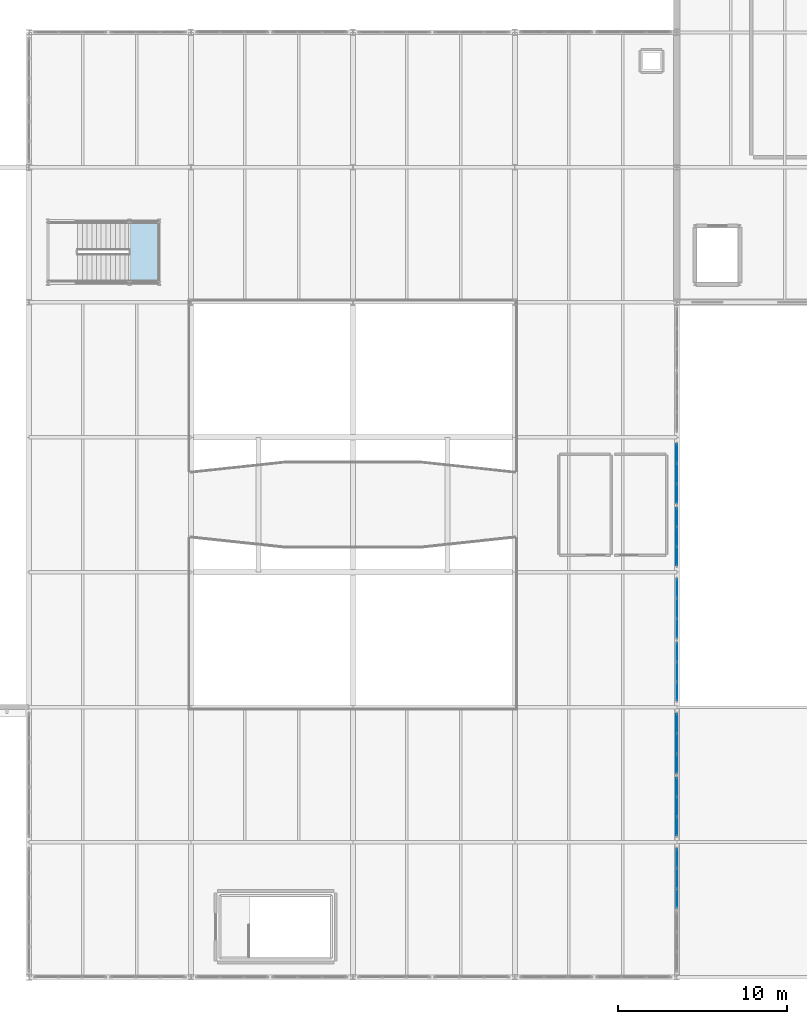
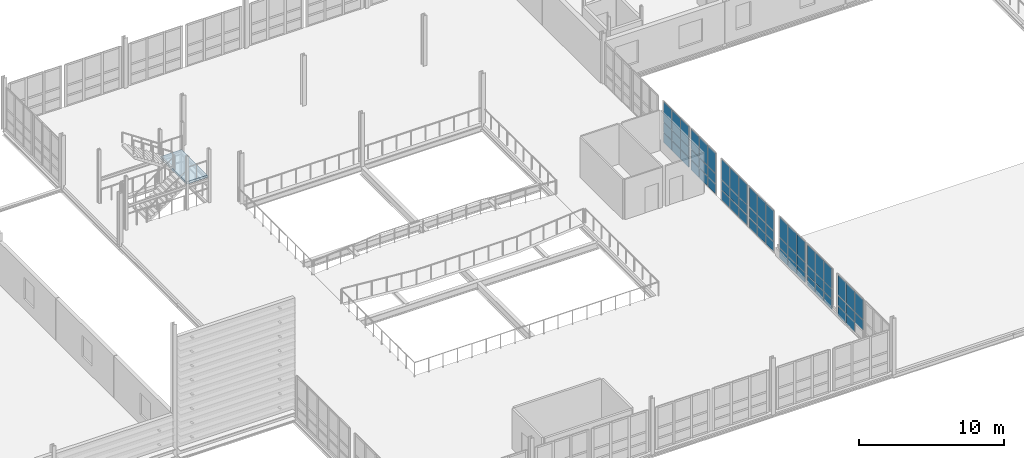
# One storey, part 49 of 73: 62 plates, 1 slab, 8 elements without a shape of their own.
"""IFC4 building model written with IfcOpenShell, lengths in metres."""

from ifc_helpers import new_model, si_unit, direction, frame, origin, origin_2d, place, context, subcontext, project, spatial, polyline, rectangle, outline, extrude, material, layer, layer_set, type_object, element, aggregate, save


model = new_model("IFC4")

# Units and contexts
model_context = context("Model", 3, precision=1e-05, world=origin(), true_north=direction((0.0, 1.0)))
body_context = subcontext(model_context, "Body", "Model", "MODEL_VIEW")
ifc_project = project(units=[si_unit("LENGTHUNIT", "METRE"), si_unit("AREAUNIT", "SQUARE_METRE"), si_unit("VOLUMEUNIT", "CUBIC_METRE"), si_unit("PLANEANGLEUNIT", "RADIAN"), si_unit("MASSUNIT", "GRAM", prefix="KILO")], contexts=[model_context])

# Site, building, storey
site_placement = place(None, origin())
site = spatial("IfcSite", under=ifc_project, at=site_placement, CompositionType="ELEMENT")
building_placement = place(site_placement, origin())
building = spatial("IfcBuilding", under=site, at=building_placement, Name="Alderhovde Museum", CompositionType="ELEMENT")
storey_placement = place(building_placement, frame((0.0, 0.0, 12.89990234375)))
storey = spatial("IfcBuildingStorey", under=building, at=storey_placement, Name="L03", CompositionType="ELEMENT", Elevation=12.89990234375)

# Curtain wall, plates
ifc_material_1 = material(Name="Triple-Glazed Bronze-Anodised Curtain Wall", Category="glass")
ifc_layer_1 = layer(ifc_material_1, 0.179931640625)
ifc_layer_set_1 = layer_set([ifc_layer_1], Name="Triple-Glazed Bronze-Anodised Curtain Wall")
curtain_wall_type_1 = type_object("IfcCurtainWallType", Name="CW-UNIT-350x354", PredefinedType="USERDEFINED", material=ifc_layer_set_1)
curtain_wall_1_placement = place(storey_placement, origin())
curtain_wall_1 = element("IfcCurtainWall", 1, at=curtain_wall_1_placement, inside=storey, type_object=curtain_wall_type_1, Name="L03 Unitised Curtain Wall 72", ObjectType="UNITISED CURTAIN WALL", PredefinedType="USERDEFINED")
ifc_material_2 = material(Name="Triple-Glazed Low-E Laminated Glass", Category="glass")
ifc_layer_2 = layer(ifc_material_2, 0.028076171875)
ifc_layer_set_2 = layer_set([ifc_layer_2], Name="Triple-Glazed Low-E Laminated Glass")
plate_type_1 = type_object("IfcPlateType", Name="CWP-GLAZ-28", PredefinedType="CURTAIN_PANEL", material=ifc_layer_set_2)
plate_1_placement = place(storey_placement, frame((115.199951171875, 48.949462890625, 0.06494140625), z_axis=(0.0, 0.0, 1.0), x_axis=(0.0, 1.0, 0.0)))
plate_1 = element("IfcPlate", 2, at=plate_1_placement, type_object=plate_type_1, Name="CW19 panel 1.1", PredefinedType="CURTAIN_PANEL", context=body_context, shape_type="SweptSolid", body=[
    extrude(rectangle(XDim=1.069091796875, YDim=0.028076171875, at=origin_2d()), origin(), (0.0, 0.0, 1.0), 0.802490234375),
])
plate_2_placement = place(storey_placement, frame((115.199951171875, 48.949462890625, 0.9326171875), z_axis=(0.0, 0.0, 1.0), x_axis=(0.0, 1.0, 0.0)))
plate_2 = element("IfcPlate", 3, at=plate_2_placement, type_object=plate_type_1, Name="CW19 panel 1.2", PredefinedType="CURTAIN_PANEL", context=body_context, shape_type="SweptSolid", body=[
    extrude(rectangle(XDim=1.069091796875, YDim=0.028076171875, at=origin_2d()), origin(), (0.0, 0.0, 1.0), 0.804931640625),
])
plate_3_placement = place(storey_placement, frame((115.199951171875, 48.949462890625, 1.802734375), z_axis=(0.0, 0.0, 1.0), x_axis=(0.0, 1.0, 0.0)))
plate_3 = element("IfcPlate", 4, at=plate_3_placement, type_object=plate_type_1, Name="CW19 panel 1.3", PredefinedType="CURTAIN_PANEL", context=body_context, shape_type="SweptSolid", body=[
    extrude(rectangle(XDim=1.069091796875, YDim=0.028076171875, at=origin_2d()), origin(), (0.0, 0.0, 1.0), 1.672607421875),
])
plate_4_placement = place(storey_placement, frame((115.199951171875, 50.10009765625, 0.06494140625), z_axis=(0.0, 0.0, 1.0), x_axis=(0.0, 1.0, 0.0)))
plate_4 = element("IfcPlate", 5, at=plate_4_placement, type_object=plate_type_1, Name="CW19 panel 2.1", PredefinedType="CURTAIN_PANEL", context=body_context, shape_type="SweptSolid", body=[
    extrude(rectangle(XDim=1.1015625, YDim=0.028076171875, at=origin_2d()), origin(), (0.0, 0.0, 1.0), 0.802490234375),
])
plate_5_placement = place(storey_placement, frame((115.199951171875, 50.10009765625, 0.9326171875), z_axis=(0.0, 0.0, 1.0), x_axis=(0.0, 1.0, 0.0)))
plate_5 = element("IfcPlate", 6, at=plate_5_placement, type_object=plate_type_1, Name="CW19 panel 2.2", PredefinedType="CURTAIN_PANEL", context=body_context, shape_type="SweptSolid", body=[
    extrude(rectangle(XDim=1.1015625, YDim=0.028076171875, at=origin_2d()), origin(), (0.0, 0.0, 1.0), 0.804931640625),
])
plate_6_placement = place(storey_placement, frame((115.199951171875, 50.10009765625, 1.802734375), z_axis=(0.0, 0.0, 1.0), x_axis=(0.0, 1.0, 0.0)))
plate_6 = element("IfcPlate", 7, at=plate_6_placement, type_object=plate_type_1, Name="CW19 panel 2.3", PredefinedType="CURTAIN_PANEL", context=body_context, shape_type="SweptSolid", body=[
    extrude(rectangle(XDim=1.1015625, YDim=0.028076171875, at=origin_2d()), origin(), (0.0, 0.0, 1.0), 1.672607421875),
])
plate_7_placement = place(storey_placement, frame((115.199951171875, 51.25048828125, 0.06494140625), z_axis=(0.0, 0.0, 1.0), x_axis=(0.0, 1.0, 0.0)))
plate_7 = element("IfcPlate", 8, at=plate_7_placement, type_object=plate_type_1, Name="CW19 panel 3.1", PredefinedType="CURTAIN_PANEL", context=body_context, shape_type="SweptSolid", body=[
    extrude(rectangle(XDim=1.069091796875, YDim=0.028076171875, at=origin_2d()), origin(), (0.0, 0.0, 1.0), 0.802490234375),
])
plate_8_placement = place(storey_placement, frame((115.199951171875, 51.25048828125, 0.9326171875), z_axis=(0.0, 0.0, 1.0), x_axis=(0.0, 1.0, 0.0)))
plate_8 = element("IfcPlate", 9, at=plate_8_placement, type_object=plate_type_1, Name="CW19 panel 3.2", PredefinedType="CURTAIN_PANEL", context=body_context, shape_type="SweptSolid", body=[
    extrude(rectangle(XDim=1.069091796875, YDim=0.028076171875, at=origin_2d()), origin(), (0.0, 0.0, 1.0), 0.804931640625),
])
plate_9_placement = place(storey_placement, frame((115.199951171875, 51.25048828125, 1.802734375), z_axis=(0.0, 0.0, 1.0), x_axis=(0.0, 1.0, 0.0)))
plate_9 = element("IfcPlate", 10, at=plate_9_placement, type_object=plate_type_1, Name="CW19 panel 3.3", PredefinedType="CURTAIN_PANEL", context=body_context, shape_type="SweptSolid", body=[
    extrude(rectangle(XDim=1.069091796875, YDim=0.028076171875, at=origin_2d()), origin(), (0.0, 0.0, 1.0), 1.672607421875),
])
aggregate(curtain_wall_1, [plate_1, plate_2, plate_3, plate_4, plate_5, plate_6, plate_7, plate_8, plate_9])

ifc_material_3 = material(Name="Triple-Glazed Bronze-Anodised Curtain Wall", Category="glass")
ifc_layer_3 = layer(ifc_material_3, 0.179931640625)
ifc_layer_set_3 = layer_set([ifc_layer_3], Name="Triple-Glazed Bronze-Anodised Curtain Wall")
curtain_wall_type_2 = type_object("IfcCurtainWallType", Name="CW-UNIT-360x354", PredefinedType="USERDEFINED", material=ifc_layer_set_3)
curtain_wall_2_placement = place(storey_placement, origin())
curtain_wall_2 = element("IfcCurtainWall", 11, at=curtain_wall_2_placement, inside=storey, type_object=curtain_wall_type_2, Name="L03 Unitised Curtain Wall 69", ObjectType="UNITISED CURTAIN WALL", PredefinedType="USERDEFINED")
ifc_material_4 = material(Name="Triple-Glazed Low-E Laminated Glass", Category="glass")
ifc_layer_4 = layer(ifc_material_4, 0.035888671875)
ifc_layer_set_4 = layer_set([ifc_layer_4], Name="Triple-Glazed Low-E Laminated Glass")
plate_type_2 = type_object("IfcPlateType", Name="CWP-GLAZ-36", PredefinedType="CURTAIN_PANEL", material=ifc_layer_set_4)
plate_10_placement = place(storey_placement, frame((115.199951171875, 36.666259765625, 0.9326171875), z_axis=(0.0, 0.0, 1.0), x_axis=(0.0, 1.0, 0.0)))
plate_10 = element("IfcPlate", 12, at=plate_10_placement, type_object=plate_type_2, Name="CW20 panel 1.2", PredefinedType="CURTAIN_PANEL", context=body_context, shape_type="SweptSolid", body=[
    extrude(rectangle(XDim=1.1025390625, YDim=0.035888671875, at=origin_2d()), origin(), (0.0, 0.0, 1.0), 0.804931640625),
])
plate_11_placement = place(storey_placement, frame((115.199951171875, 36.666259765625, 1.802734375), z_axis=(0.0, 0.0, 1.0), x_axis=(0.0, 1.0, 0.0)))
plate_11 = element("IfcPlate", 13, at=plate_11_placement, type_object=plate_type_2, Name="CW20 panel 1.3", PredefinedType="CURTAIN_PANEL", context=body_context, shape_type="SweptSolid", body=[
    extrude(rectangle(XDim=1.1025390625, YDim=0.035888671875, at=origin_2d()), origin(), (0.0, 0.0, 1.0), 1.672607421875),
])
plate_12_placement = place(storey_placement, frame((115.199951171875, 37.85009765625, 0.06494140625), z_axis=(0.0, 0.0, 1.0), x_axis=(0.0, 1.0, 0.0)))
plate_12 = element("IfcPlate", 14, at=plate_12_placement, type_object=plate_type_2, Name="CW20 panel 2.1", PredefinedType="CURTAIN_PANEL", context=body_context, shape_type="SweptSolid", body=[
    extrude(rectangle(XDim=1.135009765625, YDim=0.035888671875, at=origin_2d()), origin(), (0.0, 0.0, 1.0), 0.802490234375),
])
plate_13_placement = place(storey_placement, frame((115.199951171875, 37.85009765625, 0.9326171875), z_axis=(0.0, 0.0, 1.0), x_axis=(0.0, 1.0, 0.0)))
plate_13 = element("IfcPlate", 15, at=plate_13_placement, type_object=plate_type_2, Name="CW20 panel 2.2", PredefinedType="CURTAIN_PANEL", context=body_context, shape_type="SweptSolid", body=[
    extrude(rectangle(XDim=1.135009765625, YDim=0.035888671875, at=origin_2d()), origin(), (0.0, 0.0, 1.0), 0.804931640625),
])
plate_14_placement = place(storey_placement, frame((115.199951171875, 37.85009765625, 1.802734375), z_axis=(0.0, 0.0, 1.0), x_axis=(0.0, 1.0, 0.0)))
plate_14 = element("IfcPlate", 16, at=plate_14_placement, type_object=plate_type_2, Name="CW20 panel 2.3", PredefinedType="CURTAIN_PANEL", context=body_context, shape_type="SweptSolid", body=[
    extrude(rectangle(XDim=1.135009765625, YDim=0.035888671875, at=origin_2d()), origin(), (0.0, 0.0, 1.0), 1.672607421875),
])
plate_15_placement = place(storey_placement, frame((115.199951171875, 39.03369140625, 0.06494140625), z_axis=(0.0, 0.0, 1.0), x_axis=(0.0, 1.0, 0.0)))
plate_15 = element("IfcPlate", 17, at=plate_15_placement, type_object=plate_type_2, Name="CW20 panel 3.1", PredefinedType="CURTAIN_PANEL", context=body_context, shape_type="SweptSolid", body=[
    extrude(rectangle(XDim=1.1025390625, YDim=0.035888671875, at=origin_2d()), origin(), (0.0, 0.0, 1.0), 0.802490234375),
])
plate_16_placement = place(storey_placement, frame((115.199951171875, 39.03369140625, 0.9326171875), z_axis=(0.0, 0.0, 1.0), x_axis=(0.0, 1.0, 0.0)))
plate_16 = element("IfcPlate", 18, at=plate_16_placement, type_object=plate_type_2, Name="CW20 panel 3.2", PredefinedType="CURTAIN_PANEL", context=body_context, shape_type="SweptSolid", body=[
    extrude(rectangle(XDim=1.1025390625, YDim=0.035888671875, at=origin_2d()), origin(), (0.0, 0.0, 1.0), 0.804931640625),
])
plate_17_placement = place(storey_placement, frame((115.199951171875, 39.03369140625, 1.802734375), z_axis=(0.0, 0.0, 1.0), x_axis=(0.0, 1.0, 0.0)))
plate_17 = element("IfcPlate", 19, at=plate_17_placement, type_object=plate_type_2, Name="CW20 panel 3.3", PredefinedType="CURTAIN_PANEL", context=body_context, shape_type="SweptSolid", body=[
    extrude(rectangle(XDim=1.1025390625, YDim=0.035888671875, at=origin_2d()), origin(), (0.0, 0.0, 1.0), 1.672607421875),
])
aggregate(curtain_wall_2, [plate_10, plate_11, plate_12, plate_13, plate_14, plate_15, plate_16, plate_17])

curtain_wall_3_placement = place(storey_placement, origin())
curtain_wall_3 = element("IfcCurtainWall", 20, at=curtain_wall_3_placement, inside=storey, type_object=curtain_wall_type_2, Name="L03 Unitised Curtain Wall 73", ObjectType="UNITISED CURTAIN WALL", PredefinedType="USERDEFINED")
plate_18_placement = place(storey_placement, frame((115.199951171875, 52.666259765625, 0.06494140625), z_axis=(0.0, 0.0, 1.0), x_axis=(0.0, 1.0, 0.0)))
plate_18 = element("IfcPlate", 21, at=plate_18_placement, type_object=plate_type_2, Name="CW20 panel 1.1", PredefinedType="CURTAIN_PANEL", context=body_context, shape_type="SweptSolid", body=[
    extrude(rectangle(XDim=1.1025390625, YDim=0.035888671875, at=origin_2d()), origin(), (0.0, 0.0, 1.0), 0.802490234375),
])
plate_19_placement = place(storey_placement, frame((115.199951171875, 52.666259765625, 0.9326171875), z_axis=(0.0, 0.0, 1.0), x_axis=(0.0, 1.0, 0.0)))
plate_19 = element("IfcPlate", 22, at=plate_19_placement, type_object=plate_type_2, Name="CW20 panel 1.2", PredefinedType="CURTAIN_PANEL", context=body_context, shape_type="SweptSolid", body=[
    extrude(rectangle(XDim=1.1025390625, YDim=0.035888671875, at=origin_2d()), origin(), (0.0, 0.0, 1.0), 0.804931640625),
])
plate_20_placement = place(storey_placement, frame((115.199951171875, 52.666259765625, 1.802734375), z_axis=(0.0, 0.0, 1.0), x_axis=(0.0, 1.0, 0.0)))
plate_20 = element("IfcPlate", 23, at=plate_20_placement, type_object=plate_type_2, Name="CW20 panel 1.3", PredefinedType="CURTAIN_PANEL", context=body_context, shape_type="SweptSolid", body=[
    extrude(rectangle(XDim=1.1025390625, YDim=0.035888671875, at=origin_2d()), origin(), (0.0, 0.0, 1.0), 1.672607421875),
])
plate_21_placement = place(storey_placement, frame((115.199951171875, 53.85009765625, 0.06494140625), z_axis=(0.0, 0.0, 1.0), x_axis=(0.0, 1.0, 0.0)))
plate_21 = element("IfcPlate", 24, at=plate_21_placement, type_object=plate_type_2, Name="CW20 panel 2.1", PredefinedType="CURTAIN_PANEL", context=body_context, shape_type="SweptSolid", body=[
    extrude(rectangle(XDim=1.135009765625, YDim=0.035888671875, at=origin_2d()), origin(), (0.0, 0.0, 1.0), 0.802490234375),
])
plate_22_placement = place(storey_placement, frame((115.199951171875, 53.85009765625, 0.9326171875), z_axis=(0.0, 0.0, 1.0), x_axis=(0.0, 1.0, 0.0)))
plate_22 = element("IfcPlate", 25, at=plate_22_placement, type_object=plate_type_2, Name="CW20 panel 2.2", PredefinedType="CURTAIN_PANEL", context=body_context, shape_type="SweptSolid", body=[
    extrude(rectangle(XDim=1.135009765625, YDim=0.035888671875, at=origin_2d()), origin(), (0.0, 0.0, 1.0), 0.804931640625),
])
plate_23_placement = place(storey_placement, frame((115.199951171875, 53.85009765625, 1.802734375), z_axis=(0.0, 0.0, 1.0), x_axis=(0.0, 1.0, 0.0)))
plate_23 = element("IfcPlate", 26, at=plate_23_placement, type_object=plate_type_2, Name="CW20 panel 2.3", PredefinedType="CURTAIN_PANEL", context=body_context, shape_type="SweptSolid", body=[
    extrude(rectangle(XDim=1.135009765625, YDim=0.035888671875, at=origin_2d()), origin(), (0.0, 0.0, 1.0), 1.672607421875),
])
plate_24_placement = place(storey_placement, frame((115.199951171875, 55.03369140625, 0.06494140625), z_axis=(0.0, 0.0, 1.0), x_axis=(0.0, 1.0, 0.0)))
plate_24 = element("IfcPlate", 27, at=plate_24_placement, type_object=plate_type_2, Name="CW20 panel 3.1", PredefinedType="CURTAIN_PANEL", context=body_context, shape_type="SweptSolid", body=[
    extrude(rectangle(XDim=1.1025390625, YDim=0.035888671875, at=origin_2d()), origin(), (0.0, 0.0, 1.0), 0.802490234375),
])
plate_25_placement = place(storey_placement, frame((115.199951171875, 55.03369140625, 0.9326171875), z_axis=(0.0, 0.0, 1.0), x_axis=(0.0, 1.0, 0.0)))
plate_25 = element("IfcPlate", 28, at=plate_25_placement, type_object=plate_type_2, Name="CW20 panel 3.2", PredefinedType="CURTAIN_PANEL", context=body_context, shape_type="SweptSolid", body=[
    extrude(rectangle(XDim=1.1025390625, YDim=0.035888671875, at=origin_2d()), origin(), (0.0, 0.0, 1.0), 0.804931640625),
])
plate_26_placement = place(storey_placement, frame((115.199951171875, 55.03369140625, 1.802734375), z_axis=(0.0, 0.0, 1.0), x_axis=(0.0, 1.0, 0.0)))
plate_26 = element("IfcPlate", 29, at=plate_26_placement, type_object=plate_type_2, Name="CW20 panel 3.3", PredefinedType="CURTAIN_PANEL", context=body_context, shape_type="SweptSolid", body=[
    extrude(rectangle(XDim=1.1025390625, YDim=0.035888671875, at=origin_2d()), origin(), (0.0, 0.0, 1.0), 1.672607421875),
])
aggregate(curtain_wall_3, [plate_18, plate_19, plate_20, plate_21, plate_22, plate_23, plate_24, plate_25, plate_26])

curtain_wall_4_placement = place(storey_placement, origin())
curtain_wall_4 = element("IfcCurtainWall", 30, at=curtain_wall_4_placement, inside=storey, type_object=curtain_wall_type_1, Name="L03 Unitised Curtain Wall 70", ObjectType="UNITISED CURTAIN WALL", PredefinedType="USERDEFINED")
ifc_material_5 = material(Name="Triple-Glazed Low-E Laminated Glass", Category="glass")
ifc_layer_5 = layer(ifc_material_5, 0.0439453125)
ifc_layer_set_5 = layer_set([ifc_layer_5], Name="Triple-Glazed Low-E Laminated Glass")
plate_type_3 = type_object("IfcPlateType", Name="CWP-GLAZ-44", PredefinedType="CURTAIN_PANEL", material=ifc_layer_set_5)
plate_27_placement = place(storey_placement, frame((115.199951171875, 40.949462890625, 0.06494140625), z_axis=(0.0, 0.0, 1.0), x_axis=(0.0, 1.0, 0.0)))
plate_27 = element("IfcPlate", 31, at=plate_27_placement, type_object=plate_type_3, Name="CW19 panel 1.1", PredefinedType="CURTAIN_PANEL", context=body_context, shape_type="SweptSolid", body=[
    extrude(rectangle(XDim=1.069091796875, YDim=0.0439453125, at=origin_2d()), origin(), (0.0, 0.0, 1.0), 0.802490234375),
])
plate_28_placement = place(storey_placement, frame((115.199951171875, 40.949462890625, 0.9326171875), z_axis=(0.0, 0.0, 1.0), x_axis=(0.0, 1.0, 0.0)))
plate_28 = element("IfcPlate", 32, at=plate_28_placement, type_object=plate_type_3, Name="CW19 panel 1.2", PredefinedType="CURTAIN_PANEL", context=body_context, shape_type="SweptSolid", body=[
    extrude(rectangle(XDim=1.069091796875, YDim=0.0439453125, at=origin_2d()), origin(), (0.0, 0.0, 1.0), 0.804931640625),
])
plate_29_placement = place(storey_placement, frame((115.199951171875, 40.949462890625, 1.802734375), z_axis=(0.0, 0.0, 1.0), x_axis=(0.0, 1.0, 0.0)))
plate_29 = element("IfcPlate", 33, at=plate_29_placement, type_object=plate_type_3, Name="CW19 panel 1.3", PredefinedType="CURTAIN_PANEL", context=body_context, shape_type="SweptSolid", body=[
    extrude(rectangle(XDim=1.069091796875, YDim=0.0439453125, at=origin_2d()), origin(), (0.0, 0.0, 1.0), 1.672607421875),
])
plate_30_placement = place(storey_placement, frame((115.199951171875, 42.10009765625, 0.06494140625), z_axis=(0.0, 0.0, 1.0), x_axis=(0.0, 1.0, 0.0)))
plate_30 = element("IfcPlate", 34, at=plate_30_placement, type_object=plate_type_3, Name="CW19 panel 2.1", PredefinedType="CURTAIN_PANEL", context=body_context, shape_type="SweptSolid", body=[
    extrude(rectangle(XDim=1.1015625, YDim=0.0439453125, at=origin_2d()), origin(), (0.0, 0.0, 1.0), 0.802490234375),
])
plate_31_placement = place(storey_placement, frame((115.199951171875, 42.10009765625, 0.9326171875), z_axis=(0.0, 0.0, 1.0), x_axis=(0.0, 1.0, 0.0)))
plate_31 = element("IfcPlate", 35, at=plate_31_placement, type_object=plate_type_3, Name="CW19 panel 2.2", PredefinedType="CURTAIN_PANEL", context=body_context, shape_type="SweptSolid", body=[
    extrude(rectangle(XDim=1.1015625, YDim=0.0439453125, at=origin_2d()), origin(), (0.0, 0.0, 1.0), 0.804931640625),
])
plate_32_placement = place(storey_placement, frame((115.199951171875, 42.10009765625, 1.802734375), z_axis=(0.0, 0.0, 1.0), x_axis=(0.0, 1.0, 0.0)))
plate_32 = element("IfcPlate", 36, at=plate_32_placement, type_object=plate_type_3, Name="CW19 panel 2.3", PredefinedType="CURTAIN_PANEL", context=body_context, shape_type="SweptSolid", body=[
    extrude(rectangle(XDim=1.1015625, YDim=0.0439453125, at=origin_2d()), origin(), (0.0, 0.0, 1.0), 1.672607421875),
])
plate_33_placement = place(storey_placement, frame((115.199951171875, 43.25048828125, 0.06494140625), z_axis=(0.0, 0.0, 1.0), x_axis=(0.0, 1.0, 0.0)))
plate_33 = element("IfcPlate", 37, at=plate_33_placement, type_object=plate_type_3, Name="CW19 panel 3.1", PredefinedType="CURTAIN_PANEL", context=body_context, shape_type="SweptSolid", body=[
    extrude(rectangle(XDim=1.069091796875, YDim=0.0439453125, at=origin_2d()), origin(), (0.0, 0.0, 1.0), 0.802490234375),
])
plate_34_placement = place(storey_placement, frame((115.199951171875, 43.25048828125, 0.9326171875), z_axis=(0.0, 0.0, 1.0), x_axis=(0.0, 1.0, 0.0)))
plate_34 = element("IfcPlate", 38, at=plate_34_placement, type_object=plate_type_3, Name="CW19 panel 3.2", PredefinedType="CURTAIN_PANEL", context=body_context, shape_type="SweptSolid", body=[
    extrude(rectangle(XDim=1.069091796875, YDim=0.0439453125, at=origin_2d()), origin(), (0.0, 0.0, 1.0), 0.804931640625),
])
plate_35_placement = place(storey_placement, frame((115.199951171875, 43.25048828125, 1.802734375), z_axis=(0.0, 0.0, 1.0), x_axis=(0.0, 1.0, 0.0)))
plate_35 = element("IfcPlate", 39, at=plate_35_placement, type_object=plate_type_3, Name="CW19 panel 3.3", PredefinedType="CURTAIN_PANEL", context=body_context, shape_type="SweptSolid", body=[
    extrude(rectangle(XDim=1.069091796875, YDim=0.0439453125, at=origin_2d()), origin(), (0.0, 0.0, 1.0), 1.672607421875),
])
aggregate(curtain_wall_4, [plate_27, plate_28, plate_29, plate_30, plate_31, plate_32, plate_33, plate_34, plate_35])

curtain_wall_5_placement = place(storey_placement, origin())
curtain_wall_5 = element("IfcCurtainWall", 40, at=curtain_wall_5_placement, inside=storey, type_object=curtain_wall_type_1, Name="L03 Unitised Curtain Wall 74", ObjectType="UNITISED CURTAIN WALL", PredefinedType="USERDEFINED")
plate_36_placement = place(storey_placement, frame((115.199951171875, 56.949462890625, 0.06494140625), z_axis=(0.0, 0.0, 1.0), x_axis=(0.0, 1.0, 0.0)))
plate_36 = element("IfcPlate", 41, at=plate_36_placement, type_object=plate_type_3, Name="CW19 panel 1.1", PredefinedType="CURTAIN_PANEL", context=body_context, shape_type="SweptSolid", body=[
    extrude(rectangle(XDim=1.069091796875, YDim=0.0439453125, at=origin_2d()), origin(), (0.0, 0.0, 1.0), 0.802490234375),
])
plate_37_placement = place(storey_placement, frame((115.199951171875, 56.949462890625, 0.9326171875), z_axis=(0.0, 0.0, 1.0), x_axis=(0.0, 1.0, 0.0)))
plate_37 = element("IfcPlate", 42, at=plate_37_placement, type_object=plate_type_3, Name="CW19 panel 1.2", PredefinedType="CURTAIN_PANEL", context=body_context, shape_type="SweptSolid", body=[
    extrude(rectangle(XDim=1.069091796875, YDim=0.0439453125, at=origin_2d()), origin(), (0.0, 0.0, 1.0), 0.804931640625),
])
plate_38_placement = place(storey_placement, frame((115.199951171875, 56.949462890625, 1.802734375), z_axis=(0.0, 0.0, 1.0), x_axis=(0.0, 1.0, 0.0)))
plate_38 = element("IfcPlate", 43, at=plate_38_placement, type_object=plate_type_3, Name="CW19 panel 1.3", PredefinedType="CURTAIN_PANEL", context=body_context, shape_type="SweptSolid", body=[
    extrude(rectangle(XDim=1.069091796875, YDim=0.0439453125, at=origin_2d()), origin(), (0.0, 0.0, 1.0), 1.672607421875),
])
plate_39_placement = place(storey_placement, frame((115.199951171875, 58.10009765625, 0.06494140625), z_axis=(0.0, 0.0, 1.0), x_axis=(0.0, 1.0, 0.0)))
plate_39 = element("IfcPlate", 44, at=plate_39_placement, type_object=plate_type_3, Name="CW19 panel 2.1", PredefinedType="CURTAIN_PANEL", context=body_context, shape_type="SweptSolid", body=[
    extrude(rectangle(XDim=1.1015625, YDim=0.0439453125, at=origin_2d()), origin(), (0.0, 0.0, 1.0), 0.802490234375),
])
plate_40_placement = place(storey_placement, frame((115.199951171875, 58.10009765625, 0.9326171875), z_axis=(0.0, 0.0, 1.0), x_axis=(0.0, 1.0, 0.0)))
plate_40 = element("IfcPlate", 45, at=plate_40_placement, type_object=plate_type_3, Name="CW19 panel 2.2", PredefinedType="CURTAIN_PANEL", context=body_context, shape_type="SweptSolid", body=[
    extrude(rectangle(XDim=1.1015625, YDim=0.0439453125, at=origin_2d()), origin(), (0.0, 0.0, 1.0), 0.804931640625),
])
plate_41_placement = place(storey_placement, frame((115.199951171875, 58.10009765625, 1.802734375), z_axis=(0.0, 0.0, 1.0), x_axis=(0.0, 1.0, 0.0)))
plate_41 = element("IfcPlate", 46, at=plate_41_placement, type_object=plate_type_3, Name="CW19 panel 2.3", PredefinedType="CURTAIN_PANEL", context=body_context, shape_type="SweptSolid", body=[
    extrude(rectangle(XDim=1.1015625, YDim=0.0439453125, at=origin_2d()), origin(), (0.0, 0.0, 1.0), 1.672607421875),
])
plate_42_placement = place(storey_placement, frame((115.199951171875, 59.25048828125, 0.06494140625), z_axis=(0.0, 0.0, 1.0), x_axis=(0.0, 1.0, 0.0)))
plate_42 = element("IfcPlate", 47, at=plate_42_placement, type_object=plate_type_3, Name="CW19 panel 3.1", PredefinedType="CURTAIN_PANEL", context=body_context, shape_type="SweptSolid", body=[
    extrude(rectangle(XDim=1.069091796875, YDim=0.0439453125, at=origin_2d()), origin(), (0.0, 0.0, 1.0), 0.802490234375),
])
plate_43_placement = place(storey_placement, frame((115.199951171875, 59.25048828125, 0.9326171875), z_axis=(0.0, 0.0, 1.0), x_axis=(0.0, 1.0, 0.0)))
plate_43 = element("IfcPlate", 48, at=plate_43_placement, type_object=plate_type_3, Name="CW19 panel 3.2", PredefinedType="CURTAIN_PANEL", context=body_context, shape_type="SweptSolid", body=[
    extrude(rectangle(XDim=1.069091796875, YDim=0.0439453125, at=origin_2d()), origin(), (0.0, 0.0, 1.0), 0.804931640625),
])
plate_44_placement = place(storey_placement, frame((115.199951171875, 59.25048828125, 1.802734375), z_axis=(0.0, 0.0, 1.0), x_axis=(0.0, 1.0, 0.0)))
plate_44 = element("IfcPlate", 49, at=plate_44_placement, type_object=plate_type_3, Name="CW19 panel 3.3", PredefinedType="CURTAIN_PANEL", context=body_context, shape_type="SweptSolid", body=[
    extrude(rectangle(XDim=1.069091796875, YDim=0.0439453125, at=origin_2d()), origin(), (0.0, 0.0, 1.0), 1.672607421875),
])
aggregate(curtain_wall_5, [plate_36, plate_37, plate_38, plate_39, plate_40, plate_41, plate_42, plate_43, plate_44])

curtain_wall_6_placement = place(storey_placement, origin())
curtain_wall_6 = element("IfcCurtainWall", 50, at=curtain_wall_6_placement, inside=storey, type_object=curtain_wall_type_2, Name="L03 Unitised Curtain Wall 71", ObjectType="UNITISED CURTAIN WALL", PredefinedType="USERDEFINED")
ifc_material_6 = material(Name="Triple-Glazed Low-E Laminated Glass", Category="glass")
ifc_layer_6 = layer(ifc_material_6, 0.052001953125)
ifc_layer_set_6 = layer_set([ifc_layer_6], Name="Triple-Glazed Low-E Laminated Glass")
plate_type_4 = type_object("IfcPlateType", Name="CWP-GLAZ-52", PredefinedType="CURTAIN_PANEL", material=ifc_layer_set_6)
plate_45_placement = place(storey_placement, frame((115.199951171875, 44.666259765625, 0.06494140625), z_axis=(0.0, 0.0, 1.0), x_axis=(0.0, 1.0, 0.0)))
plate_45 = element("IfcPlate", 51, at=plate_45_placement, type_object=plate_type_4, Name="CW20 panel 1.1", PredefinedType="CURTAIN_PANEL", context=body_context, shape_type="SweptSolid", body=[
    extrude(rectangle(XDim=1.1025390625, YDim=0.052001953125, at=origin_2d()), origin(), (0.0, 0.0, 1.0), 0.802490234375),
])
plate_46_placement = place(storey_placement, frame((115.199951171875, 44.666259765625, 0.9326171875), z_axis=(0.0, 0.0, 1.0), x_axis=(0.0, 1.0, 0.0)))
plate_46 = element("IfcPlate", 52, at=plate_46_placement, type_object=plate_type_4, Name="CW20 panel 1.2", PredefinedType="CURTAIN_PANEL", context=body_context, shape_type="SweptSolid", body=[
    extrude(rectangle(XDim=1.1025390625, YDim=0.052001953125, at=origin_2d()), origin(), (0.0, 0.0, 1.0), 0.804931640625),
])
plate_47_placement = place(storey_placement, frame((115.199951171875, 44.666259765625, 1.802734375), z_axis=(0.0, 0.0, 1.0), x_axis=(0.0, 1.0, 0.0)))
plate_47 = element("IfcPlate", 53, at=plate_47_placement, type_object=plate_type_4, Name="CW20 panel 1.3", PredefinedType="CURTAIN_PANEL", context=body_context, shape_type="SweptSolid", body=[
    extrude(rectangle(XDim=1.1025390625, YDim=0.052001953125, at=origin_2d()), origin(), (0.0, 0.0, 1.0), 1.672607421875),
])
plate_48_placement = place(storey_placement, frame((115.199951171875, 45.85009765625, 0.06494140625), z_axis=(0.0, 0.0, 1.0), x_axis=(0.0, 1.0, 0.0)))
plate_48 = element("IfcPlate", 54, at=plate_48_placement, type_object=plate_type_4, Name="CW20 panel 2.1", PredefinedType="CURTAIN_PANEL", context=body_context, shape_type="SweptSolid", body=[
    extrude(rectangle(XDim=1.135009765625, YDim=0.052001953125, at=origin_2d()), origin(), (0.0, 0.0, 1.0), 0.802490234375),
])
plate_49_placement = place(storey_placement, frame((115.199951171875, 45.85009765625, 0.9326171875), z_axis=(0.0, 0.0, 1.0), x_axis=(0.0, 1.0, 0.0)))
plate_49 = element("IfcPlate", 55, at=plate_49_placement, type_object=plate_type_4, Name="CW20 panel 2.2", PredefinedType="CURTAIN_PANEL", context=body_context, shape_type="SweptSolid", body=[
    extrude(rectangle(XDim=1.135009765625, YDim=0.052001953125, at=origin_2d()), origin(), (0.0, 0.0, 1.0), 0.804931640625),
])
plate_50_placement = place(storey_placement, frame((115.199951171875, 45.85009765625, 1.802734375), z_axis=(0.0, 0.0, 1.0), x_axis=(0.0, 1.0, 0.0)))
plate_50 = element("IfcPlate", 56, at=plate_50_placement, type_object=plate_type_4, Name="CW20 panel 2.3", PredefinedType="CURTAIN_PANEL", context=body_context, shape_type="SweptSolid", body=[
    extrude(rectangle(XDim=1.135009765625, YDim=0.052001953125, at=origin_2d()), origin(), (0.0, 0.0, 1.0), 1.672607421875),
])
plate_51_placement = place(storey_placement, frame((115.199951171875, 47.03369140625, 0.06494140625), z_axis=(0.0, 0.0, 1.0), x_axis=(0.0, 1.0, 0.0)))
plate_51 = element("IfcPlate", 57, at=plate_51_placement, type_object=plate_type_4, Name="CW20 panel 3.1", PredefinedType="CURTAIN_PANEL", context=body_context, shape_type="SweptSolid", body=[
    extrude(rectangle(XDim=1.1025390625, YDim=0.052001953125, at=origin_2d()), origin(), (0.0, 0.0, 1.0), 0.802490234375),
])
plate_52_placement = place(storey_placement, frame((115.199951171875, 47.03369140625, 0.9326171875), z_axis=(0.0, 0.0, 1.0), x_axis=(0.0, 1.0, 0.0)))
plate_52 = element("IfcPlate", 58, at=plate_52_placement, type_object=plate_type_4, Name="CW20 panel 3.2", PredefinedType="CURTAIN_PANEL", context=body_context, shape_type="SweptSolid", body=[
    extrude(rectangle(XDim=1.1025390625, YDim=0.052001953125, at=origin_2d()), origin(), (0.0, 0.0, 1.0), 0.804931640625),
])
plate_53_placement = place(storey_placement, frame((115.199951171875, 47.03369140625, 1.802734375), z_axis=(0.0, 0.0, 1.0), x_axis=(0.0, 1.0, 0.0)))
plate_53 = element("IfcPlate", 59, at=plate_53_placement, type_object=plate_type_4, Name="CW20 panel 3.3", PredefinedType="CURTAIN_PANEL", context=body_context, shape_type="SweptSolid", body=[
    extrude(rectangle(XDim=1.1025390625, YDim=0.052001953125, at=origin_2d()), origin(), (0.0, 0.0, 1.0), 1.672607421875),
])
aggregate(curtain_wall_6, [plate_45, plate_46, plate_47, plate_48, plate_49, plate_50, plate_51, plate_52, plate_53])

curtain_wall_7_placement = place(storey_placement, origin())
curtain_wall_7 = element("IfcCurtainWall", 60, at=curtain_wall_7_placement, inside=storey, type_object=curtain_wall_type_2, Name="L03 Unitised Curtain Wall 75", ObjectType="UNITISED CURTAIN WALL", PredefinedType="USERDEFINED")
plate_54_placement = place(storey_placement, frame((115.199951171875, 60.666259765625, 0.06494140625), z_axis=(0.0, 0.0, 1.0), x_axis=(0.0, 1.0, 0.0)))
plate_54 = element("IfcPlate", 61, at=plate_54_placement, type_object=plate_type_4, Name="CW20 panel 1.1", PredefinedType="CURTAIN_PANEL", context=body_context, shape_type="SweptSolid", body=[
    extrude(rectangle(XDim=1.1025390625, YDim=0.052001953125, at=origin_2d()), origin(), (0.0, 0.0, 1.0), 0.802490234375),
])
plate_55_placement = place(storey_placement, frame((115.199951171875, 60.666259765625, 0.9326171875), z_axis=(0.0, 0.0, 1.0), x_axis=(0.0, 1.0, 0.0)))
plate_55 = element("IfcPlate", 62, at=plate_55_placement, type_object=plate_type_4, Name="CW20 panel 1.2", PredefinedType="CURTAIN_PANEL", context=body_context, shape_type="SweptSolid", body=[
    extrude(rectangle(XDim=1.1025390625, YDim=0.052001953125, at=origin_2d()), origin(), (0.0, 0.0, 1.0), 0.804931640625),
])
plate_56_placement = place(storey_placement, frame((115.199951171875, 60.666259765625, 1.802734375), z_axis=(0.0, 0.0, 1.0), x_axis=(0.0, 1.0, 0.0)))
plate_56 = element("IfcPlate", 63, at=plate_56_placement, type_object=plate_type_4, Name="CW20 panel 1.3", PredefinedType="CURTAIN_PANEL", context=body_context, shape_type="SweptSolid", body=[
    extrude(rectangle(XDim=1.1025390625, YDim=0.052001953125, at=origin_2d()), origin(), (0.0, 0.0, 1.0), 1.672607421875),
])
plate_57_placement = place(storey_placement, frame((115.199951171875, 61.85009765625, 0.06494140625), z_axis=(0.0, 0.0, 1.0), x_axis=(0.0, 1.0, 0.0)))
plate_57 = element("IfcPlate", 64, at=plate_57_placement, type_object=plate_type_4, Name="CW20 panel 2.1", PredefinedType="CURTAIN_PANEL", context=body_context, shape_type="SweptSolid", body=[
    extrude(rectangle(XDim=1.135009765625, YDim=0.052001953125, at=origin_2d()), origin(), (0.0, 0.0, 1.0), 0.802490234375),
])
plate_58_placement = place(storey_placement, frame((115.199951171875, 61.85009765625, 0.9326171875), z_axis=(0.0, 0.0, 1.0), x_axis=(0.0, 1.0, 0.0)))
plate_58 = element("IfcPlate", 65, at=plate_58_placement, type_object=plate_type_4, Name="CW20 panel 2.2", PredefinedType="CURTAIN_PANEL", context=body_context, shape_type="SweptSolid", body=[
    extrude(rectangle(XDim=1.135009765625, YDim=0.052001953125, at=origin_2d()), origin(), (0.0, 0.0, 1.0), 0.804931640625),
])
plate_59_placement = place(storey_placement, frame((115.199951171875, 61.85009765625, 1.802734375), z_axis=(0.0, 0.0, 1.0), x_axis=(0.0, 1.0, 0.0)))
plate_59 = element("IfcPlate", 66, at=plate_59_placement, type_object=plate_type_4, Name="CW20 panel 2.3", PredefinedType="CURTAIN_PANEL", context=body_context, shape_type="SweptSolid", body=[
    extrude(rectangle(XDim=1.135009765625, YDim=0.052001953125, at=origin_2d()), origin(), (0.0, 0.0, 1.0), 1.672607421875),
])
plate_60_placement = place(storey_placement, frame((115.199951171875, 63.03369140625, 0.06494140625), z_axis=(0.0, 0.0, 1.0), x_axis=(0.0, 1.0, 0.0)))
plate_60 = element("IfcPlate", 67, at=plate_60_placement, type_object=plate_type_4, Name="CW20 panel 3.1", PredefinedType="CURTAIN_PANEL", context=body_context, shape_type="SweptSolid", body=[
    extrude(rectangle(XDim=1.1025390625, YDim=0.052001953125, at=origin_2d()), origin(), (0.0, 0.0, 1.0), 0.802490234375),
])
plate_61_placement = place(storey_placement, frame((115.199951171875, 63.03369140625, 0.9326171875), z_axis=(0.0, 0.0, 1.0), x_axis=(0.0, 1.0, 0.0)))
plate_61 = element("IfcPlate", 68, at=plate_61_placement, type_object=plate_type_4, Name="CW20 panel 3.2", PredefinedType="CURTAIN_PANEL", context=body_context, shape_type="SweptSolid", body=[
    extrude(rectangle(XDim=1.1025390625, YDim=0.052001953125, at=origin_2d()), origin(), (0.0, 0.0, 1.0), 0.804931640625),
])
plate_62_placement = place(storey_placement, frame((115.199951171875, 63.03369140625, 1.802734375), z_axis=(0.0, 0.0, 1.0), x_axis=(0.0, 1.0, 0.0)))
plate_62 = element("IfcPlate", 69, at=plate_62_placement, type_object=plate_type_4, Name="CW20 panel 3.3", PredefinedType="CURTAIN_PANEL", context=body_context, shape_type="SweptSolid", body=[
    extrude(rectangle(XDim=1.1025390625, YDim=0.052001953125, at=origin_2d()), origin(), (0.0, 0.0, 1.0), 1.672607421875),
])
aggregate(curtain_wall_7, [plate_54, plate_55, plate_56, plate_57, plate_58, plate_59, plate_60, plate_61, plate_62])

# Stair, slab
ifc_material_7 = material(Name="Concrete C35/45", Category="concrete")
stair_type = type_object("IfcStairType", Name="STR-1500-4500", PredefinedType="HALF_TURN_STAIR", material=ifc_material_7)
stair_placement = place(storey_placement, origin())
stair = element("IfcStair", 70, at=stair_placement, inside=storey, type_object=stair_type, Name="L03 Conservatory Grand Stair ST5", PredefinedType="HALF_TURN_STAIR")
ifc_material_8 = material(Name="Concrete C35/45", Category="concrete")
ifc_layer_7 = layer(ifc_material_8, 0.199951171875)
ifc_layer_set_7 = layer_set([ifc_layer_7], Name="Concrete C35/45")
slab_type = type_object("IfcSlabType", Name="SLB-LANDING-200", PredefinedType="LANDING", material=ifc_layer_set_7)
slab_placement = place(storey_placement, frame((0.0, 0.0, 2.050048828125)))
slab = element("IfcSlab", 71, at=slab_placement, type_object=slab_type, Name="ST5 landing 1", PredefinedType="LANDING", context=body_context, shape_type="SweptSolid", body=[
    extrude(outline(polyline([(82.760009765625, 73.199951171875), (84.43994140625, 73.199951171875), (84.43994140625, 76.760009765625), (82.760009765625, 76.760009765625), (82.760009765625, 73.199951171875)])), origin(), (0.0, 0.0, 1.0), 0.199951171875),
])
aggregate(stair, [slab])

save(model, "model.ifc")
